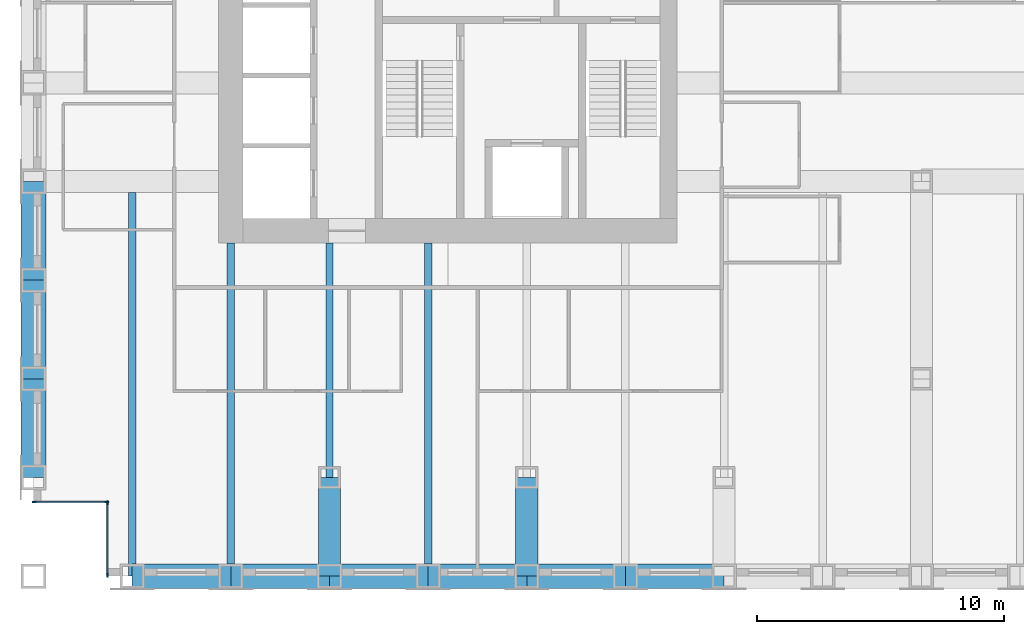
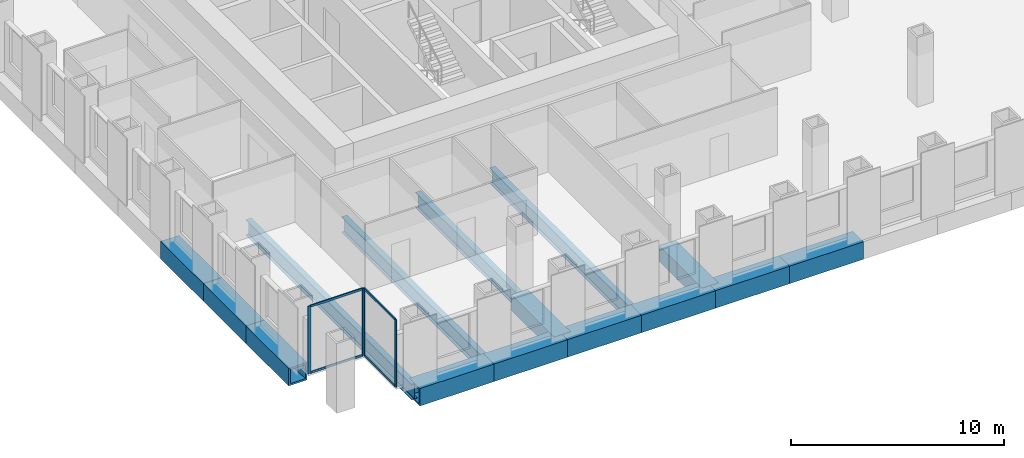
# One storey, part 2 of 16: 15 beams, 8 members, 2 elements without a shape of their own.
"""IFC4 building model written with IfcOpenShell, lengths in metres."""

from ifc_helpers import new_model, si_unit, direction, frame, origin, origin_2d, place, context, subcontext, project, spatial, rectangle, hollow_rectangle, i_section, extrude, material, material_profile, profile_set, type_object, element, aggregate, save


model = new_model("IFC4")

# Units and contexts
model_context = context("Model", 3, precision=1e-05, world=origin(), true_north=direction((0.0, 1.0)))
body_context = subcontext(model_context, "Body", "Model", "MODEL_VIEW")
ifc_project = project(units=[si_unit("LENGTHUNIT", "METRE"), si_unit("AREAUNIT", "SQUARE_METRE"), si_unit("VOLUMEUNIT", "CUBIC_METRE"), si_unit("PLANEANGLEUNIT", "RADIAN"), si_unit("MASSUNIT", "GRAM", prefix="KILO")], contexts=[model_context])

# Site, building, storey
site_placement = place(None, origin())
site = spatial("IfcSite", under=ifc_project, at=site_placement, CompositionType="ELEMENT")
building_placement = place(site_placement, origin())
building = spatial("IfcBuilding", under=site, at=building_placement, Name="Rimbunsela Tower", CompositionType="ELEMENT")
storey_placement = place(building_placement, frame((0.0, 0.0, 121.39990234375)))
storey = spatial("IfcBuildingStorey", under=building, at=storey_placement, Name="L29", CompositionType="ELEMENT", Elevation=121.39990234375)

# Beams
ifc_material_1 = material(Name="Steel BJ 55 (fy 410 MPa)", Category="steel")
ifc_material_profile_1 = material_profile(ifc_material_1, hollow_rectangle(XDim=1.0, YDim=1.0, WallThickness=0.10009765625, at=origin_2d()), Name="BOX 1000x1000x100")
ifc_profile_set_1 = profile_set([ifc_material_profile_1], Name="Steel BJ 55 (fy 410 MPa)")
beam_type_1 = type_object("IfcBeamType", Name="Beam BOX 1000x1000x100", PredefinedType="BEAM", material=ifc_profile_set_1)
for number, where, z_axis, x_axis, name in (
    (1, (10.0, 8.0, -0.64990234375), (0.0, 1.0, 0.0), (-1.0, 0.0, 0.0), "Beam B3 L29"),
    (2, (10.0, 12.0, -0.64990234375), (0.0, 1.0, 0.0), (-1.0, 0.0, 0.0), "Beam B3 L29"),
    (3, (10.0, 16.0, -0.64990234375), (0.0, 1.0, 0.0), (-1.0, 0.0, 0.0), "Beam B3 L29"),
    (4, (14.0, 4.0, -0.64990234375), (1.0, 0.0, 0.0), (0.0, 1.0, 0.0), "Beam B3 L29"),
    (5, (18.0, 4.0, -0.64990234375), (1.0, 0.0, 0.0), (0.0, 1.0, 0.0), "Beam B3 L29"),
    (6, (22.0, 4.0, -0.64990234375), (1.0, 0.0, 0.0), (0.0, 1.0, 0.0), "Beam B3 L29"),
    (7, (26.0, 4.0, -0.64990234375), (1.0, 0.0, 0.0), (0.0, 1.0, 0.0), "Beam B3 L29"),
    (8, (30.0, 4.0, -0.64990234375), (1.0, 0.0, 0.0), (0.0, 1.0, 0.0), "Beam B3 L29"),
    (9, (34.0, 4.0, -0.64990234375), (1.0, 0.0, 0.0), (0.0, 1.0, 0.0), "Beam B3 L29"),
):
    element("IfcBeam", number, at=place(storey_placement, frame(where, z_axis=z_axis, x_axis=x_axis)), inside=storey, type_object=beam_type_1, Name=name, PredefinedType="BEAM", context=body_context, shape_type="SweptSolid", body=[
        extrude(hollow_rectangle(XDim=1.0, YDim=1.0, WallThickness=0.10009765625, at=origin_2d()), origin(), (0.0, 0.0, 1.0), 4.0),
    ])
ifc_material_2 = material(Name="Steel BJ 55 (fy 410 MPa)", Category="steel")
ifc_material_profile_2 = material_profile(ifc_material_2, hollow_rectangle(XDim=0.89990234375, YDim=0.89990234375, WallThickness=0.06005859375, at=origin_2d()), Name="BOX 900x900x60")
ifc_profile_set_2 = profile_set([ifc_material_profile_2], Name="Steel BJ 55 (fy 410 MPa)")
beam_type_2 = type_object("IfcBeamType", Name="Beam BOX 900x900x60", PredefinedType="BEAM", material=ifc_profile_set_2)
for number, where, z_axis, x_axis, name in (
    (10, (22.0, 4.0, -0.599853515625), (0.0, 1.0, 0.0), (-1.0, 0.0, 0.0), "Beam B1 L29"),
    (11, (30.0, 4.0, -0.599853515625), (0.0, 1.0, 0.0), (-1.0, 0.0, 0.0), "Beam B1 L29"),
):
    element("IfcBeam", number, at=place(storey_placement, frame(where, z_axis=z_axis, x_axis=x_axis)), inside=storey, type_object=beam_type_2, Name=name, PredefinedType="BEAM", context=body_context, shape_type="SweptSolid", body=[
        extrude(hollow_rectangle(XDim=0.89990234375, YDim=0.89990234375, WallThickness=0.06005859375, at=origin_2d()), origin(), (0.0, 0.0, 1.0), 4.0),
    ])
ifc_material_3 = material(Name="Steel BJ 55 (fy 410 MPa)", Category="steel")
ifc_material_profile_3 = material_profile(ifc_material_3, i_section(OverallWidth=0.300048828125, OverallDepth=0.89990234375, WebThickness=0.01611328125, FlangeThickness=0.028076171875, FilletRadius=0.028076171875, at=origin_2d()), Name="H 900x300x16x28")
ifc_profile_set_3 = profile_set([ifc_material_profile_3], Name="Steel BJ 55 (fy 410 MPa)")
beam_type_3 = type_object("IfcBeamType", Name="Beam H 900x300x16x28", PredefinedType="BEAM", material=ifc_profile_set_3)
beam_1_placement = place(storey_placement, frame((14.0, 4.0, -0.599853515625), z_axis=(0.0, 1.0, 0.0), x_axis=(-1.0, 0.0, 0.0)))
element("IfcBeam", 12, at=beam_1_placement, inside=storey, type_object=beam_type_3, Name="Beam B2 L29", PredefinedType="BEAM", context=body_context, shape_type="SweptSolid", body=[
    extrude(i_section(OverallWidth=0.300048828125, OverallDepth=0.89990234375, WebThickness=0.01611328125, FlangeThickness=0.028076171875, FilletRadius=0.028076171875, at=origin_2d()), origin(), (0.0, 0.0, 1.0), 15.550048828125),
])
beam_2_placement = place(storey_placement, frame((18.0, 4.0, -0.599853515625), z_axis=(0.0, 1.0, 0.0), x_axis=(-1.0, 0.0, 0.0)))
element("IfcBeam", 13, at=beam_2_placement, inside=storey, type_object=beam_type_3, Name="Beam B2 L29", PredefinedType="BEAM", context=body_context, shape_type="SweptSolid", body=[
    extrude(i_section(OverallWidth=0.300048828125, OverallDepth=0.89990234375, WebThickness=0.01611328125, FlangeThickness=0.028076171875, FilletRadius=0.028076171875, at=origin_2d()), origin(), (0.0, 0.0, 1.0), 13.5),
])
beam_3_placement = place(storey_placement, frame((22.0, 8.0, -0.599853515625), z_axis=(0.0, 1.0, 0.0), x_axis=(-1.0, 0.0, 0.0)))
element("IfcBeam", 14, at=beam_3_placement, inside=storey, type_object=beam_type_3, Name="Beam B2 L29", PredefinedType="BEAM", context=body_context, shape_type="SweptSolid", body=[
    extrude(i_section(OverallWidth=0.300048828125, OverallDepth=0.89990234375, WebThickness=0.01611328125, FlangeThickness=0.028076171875, FilletRadius=0.028076171875, at=origin_2d()), origin(), (0.0, 0.0, 1.0), 9.5),
])
beam_4_placement = place(storey_placement, frame((26.0, 4.0, -0.599853515625), z_axis=(0.0, 1.0, 0.0), x_axis=(-1.0, 0.0, 0.0)))
element("IfcBeam", 15, at=beam_4_placement, inside=storey, type_object=beam_type_3, Name="Beam B2 L29", PredefinedType="BEAM", context=body_context, shape_type="SweptSolid", body=[
    extrude(i_section(OverallWidth=0.300048828125, OverallDepth=0.89990234375, WebThickness=0.01611328125, FlangeThickness=0.028076171875, FilletRadius=0.028076171875, at=origin_2d()), origin(), (0.0, 0.0, 1.0), 13.5),
])

# Curtain wall, members
ifc_material_4 = material(Name="Aluminium curtain wall", Category="aluminium")
curtain_wall_type = type_object("IfcCurtainWallType", Name="Corner glazing", PredefinedType="USERDEFINED", material=ifc_material_4)
curtain_wall_1_placement = place(storey_placement, origin())
curtain_wall_1 = element("IfcCurtainWall", 16, at=curtain_wall_1_placement, inside=storey, type_object=curtain_wall_type, Name="Corner glazing L29", ObjectType="CORNER GLAZING", PredefinedType="USERDEFINED")
ifc_material_5 = material(Name="Aluminium mullion", Category="aluminium")
ifc_material_profile_4 = material_profile(ifc_material_5, rectangle(XDim=0.06005859375, YDim=0.159912109375, at=origin_2d()), Name="Mullion 60x160")
ifc_profile_set_4 = profile_set([ifc_material_profile_4], Name="Aluminium mullion")
member_type_1 = type_object("IfcMemberType", Name="Curtain wall mullion 60x160", PredefinedType="MULLION", material=ifc_profile_set_4)
member_1_placement = place(storey_placement, frame((10.030029296875, 7.0, 0.0), z_axis=(0.0, 0.0, 1.0), x_axis=(0.0, 1.0, 0.0)))
member_1 = element("IfcMember", 17, at=member_1_placement, type_object=member_type_1, Name="CW5 mullion 1", PredefinedType="MULLION", context=body_context, shape_type="SweptSolid", body=[
    extrude(rectangle(XDim=0.06005859375, YDim=0.159912109375, at=origin_2d()), origin(), (0.0, 0.0, 1.0), 3.85009765625),
])
member_2_placement = place(storey_placement, frame((12.969970703125, 7.0, 0.0), z_axis=(0.0, 0.0, 1.0), x_axis=(0.0, 1.0, 0.0)))
member_2 = element("IfcMember", 18, at=member_2_placement, type_object=member_type_1, Name="CW5 mullion 2", PredefinedType="MULLION", context=body_context, shape_type="SweptSolid", body=[
    extrude(rectangle(XDim=0.06005859375, YDim=0.159912109375, at=origin_2d()), origin(), (0.0, 0.0, 1.0), 3.85009765625),
])

curtain_wall_2_placement = place(storey_placement, origin())
curtain_wall_2 = element("IfcCurtainWall", 19, at=curtain_wall_2_placement, inside=storey, type_object=curtain_wall_type, Name="Corner glazing L29", ObjectType="CORNER GLAZING", PredefinedType="USERDEFINED")
member_3_placement = place(storey_placement, frame((13.0, 6.969970703125, 0.0), z_axis=(0.0, 0.0, 1.0), x_axis=(1.0, 0.0, 0.0)))
member_3 = element("IfcMember", 20, at=member_3_placement, type_object=member_type_1, Name="CW5 mullion 1", PredefinedType="MULLION", context=body_context, shape_type="SweptSolid", body=[
    extrude(rectangle(XDim=0.06005859375, YDim=0.159912109375, at=origin_2d()), origin(), (0.0, 0.0, 1.0), 3.85009765625),
])
member_4_placement = place(storey_placement, frame((13.0, 4.030029296875, 0.0), z_axis=(0.0, 0.0, 1.0), x_axis=(1.0, 0.0, 0.0)))
member_4 = element("IfcMember", 21, at=member_4_placement, type_object=member_type_1, Name="CW5 mullion 2", PredefinedType="MULLION", context=body_context, shape_type="SweptSolid", body=[
    extrude(rectangle(XDim=0.06005859375, YDim=0.159912109375, at=origin_2d()), origin(), (0.0, 0.0, 1.0), 3.85009765625),
])

# Member
ifc_material_6 = material(Name="Aluminium transom", Category="aluminium")
ifc_material_profile_5 = material_profile(ifc_material_6, rectangle(XDim=0.06005859375, YDim=0.1201171875, at=origin_2d()), Name="Transom 60x120")
ifc_profile_set_5 = profile_set([ifc_material_profile_5], Name="Aluminium transom")
member_type_2 = type_object("IfcMemberType", Name="Curtain wall transom 60x120", PredefinedType="USERDEFINED", material=ifc_profile_set_5)
member_5_placement = place(storey_placement, frame((10.06005859375, 7.0, 0.030029296875), z_axis=(1.0, 0.0, 0.0), x_axis=(0.0, 1.0, 0.0)))
member_5 = element("IfcMember", 22, at=member_5_placement, type_object=member_type_2, Name="CW5 transom 1.1", ObjectType="TRANSOM", PredefinedType="USERDEFINED", context=body_context, shape_type="SweptSolid", body=[
    extrude(rectangle(XDim=0.06005859375, YDim=0.1201171875, at=origin_2d()), origin(), (0.0, 0.0, 1.0), 2.8798828125),
])

member_6_placement = place(storey_placement, frame((10.06005859375, 7.0, 3.820068359375), z_axis=(1.0, 0.0, 0.0), x_axis=(0.0, 1.0, 0.0)))
member_6 = element("IfcMember", 23, at=member_6_placement, type_object=member_type_2, Name="CW5 transom 1.2", ObjectType="TRANSOM", PredefinedType="USERDEFINED", context=body_context, shape_type="SweptSolid", body=[
    extrude(rectangle(XDim=0.06005859375, YDim=0.1201171875, at=origin_2d()), origin(), (0.0, 0.0, 1.0), 2.8798828125),
])

aggregate(curtain_wall_1, [member_1, member_2, member_5, member_6])

member_7_placement = place(storey_placement, frame((13.0, 6.93994140625, 0.030029296875), z_axis=(0.0, -1.0, 0.0), x_axis=(1.0, 0.0, 0.0)))
member_7 = element("IfcMember", 24, at=member_7_placement, type_object=member_type_2, Name="CW5 transom 1.1", ObjectType="TRANSOM", PredefinedType="USERDEFINED", context=body_context, shape_type="SweptSolid", body=[
    extrude(rectangle(XDim=0.06005859375, YDim=0.1201171875, at=origin_2d()), origin(), (0.0, 0.0, 1.0), 2.8798828125),
])

member_8_placement = place(storey_placement, frame((13.0, 6.93994140625, 3.820068359375), z_axis=(0.0, -1.0, 0.0), x_axis=(1.0, 0.0, 0.0)))
member_8 = element("IfcMember", 25, at=member_8_placement, type_object=member_type_2, Name="CW5 transom 1.2", ObjectType="TRANSOM", PredefinedType="USERDEFINED", context=body_context, shape_type="SweptSolid", body=[
    extrude(rectangle(XDim=0.06005859375, YDim=0.1201171875, at=origin_2d()), origin(), (0.0, 0.0, 1.0), 2.8798828125),
])

aggregate(curtain_wall_2, [member_3, member_4, member_7, member_8])

save(model, "model.ifc")
